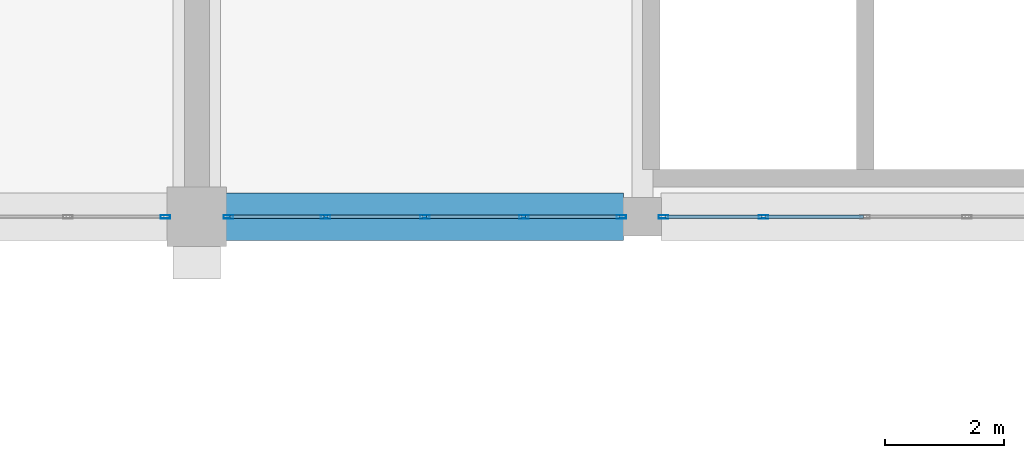
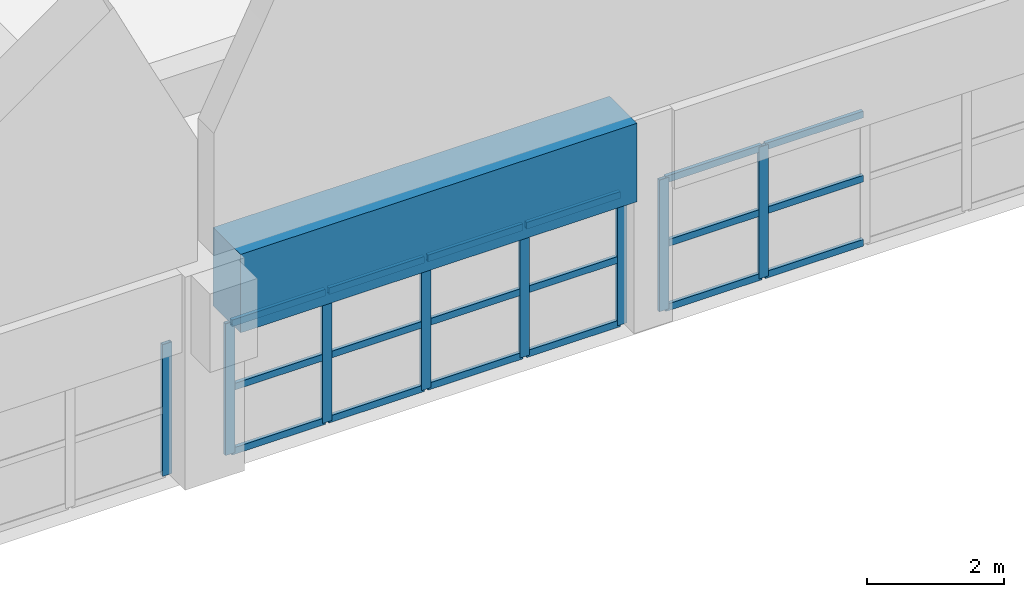
# One storey, part 22 of 74: 26 members, 1 beam, 3 elements without a shape of their own.
"""IFC4 building model written with IfcOpenShell, lengths in metres."""

from ifc_helpers import new_model, si_unit, direction, frame, origin, origin_2d, place, context, subcontext, project, spatial, rectangle, hollow_rectangle, extrude, material, layer, layer_set, material_profile, profile_set, type_object, element, aggregate, save


model = new_model("IFC4")

# Units and contexts
model_context = context("Model", 3, precision=1e-05, world=origin(), true_north=direction((0.0, 1.0)))
body_context = subcontext(model_context, "Body", "Model", "MODEL_VIEW")
ifc_project = project(units=[si_unit("LENGTHUNIT", "METRE"), si_unit("AREAUNIT", "SQUARE_METRE"), si_unit("VOLUMEUNIT", "CUBIC_METRE"), si_unit("PLANEANGLEUNIT", "RADIAN"), si_unit("MASSUNIT", "GRAM", prefix="KILO")], contexts=[model_context])

# Site, building, storey
site_placement = place(None, origin())
site = spatial("IfcSite", under=ifc_project, at=site_placement, CompositionType="ELEMENT")
building_placement = place(site_placement, origin())
building = spatial("IfcBuilding", under=site, at=building_placement, Name="Muzn Square Opera House", CompositionType="ELEMENT")
storey_placement = place(building_placement, frame((0.0, 0.0, 14.199951171875)))
storey = spatial("IfcBuildingStorey", under=building, at=storey_placement, Name="L03", CompositionType="ELEMENT", Elevation=14.199951171875)

# Curtain wall, member
ifc_material_1 = material(Name="Low-E laminated acoustic double glazing", Category="glass")
ifc_layer_1 = layer(ifc_material_1, 0.159912109375, Name="Low-E laminated acoustic double glazing", Category="glass")
ifc_layer_set_1 = layer_set([ifc_layer_1], Name="Low-E laminated acoustic double glazing")
curtain_wall_type_1 = type_object("IfcCurtainWallType", Name="Glazed Curtain Wall Forecourt 6675x2350", PredefinedType="USERDEFINED", material=ifc_layer_set_1)
curtain_wall_1_placement = place(storey_placement, origin())
curtain_wall_1 = element("IfcCurtainWall", 1, at=curtain_wall_1_placement, inside=storey, type_object=curtain_wall_type_1, Name="Glazed Curtain Wall CW-L03-025", ObjectType="GLAZED CURTAIN WALL", PredefinedType="USERDEFINED")
ifc_material_2 = material(Name="Anodised bronze aluminium 6063-T6", Category="metal")
ifc_material_profile_1 = material_profile(ifc_material_2, hollow_rectangle(XDim=0.06005859375, YDim=0.159912109375, WallThickness=0.00390625, at=origin_2d()), Name="ALU 160x60x4", Category="metal")
ifc_profile_set_1 = profile_set([ifc_material_profile_1], Name="Anodised bronze aluminium 6063-T6")
member_type_1 = type_object("IfcMemberType", Name="Curtain Wall Mullion 160x60", PredefinedType="MULLION", material=ifc_profile_set_1)
member_1_placement = place(storey_placement, frame((102.469970703125, 22.0, 0.0), z_axis=(0.0, 0.0, 1.0), x_axis=(0.0, 1.0, 0.0)))
member_1 = element("IfcMember", 2, at=member_1_placement, type_object=member_type_1, Name="CW-FC-66x23 mullion 5", PredefinedType="MULLION", context=body_context, shape_type="SweptSolid", body=[
    extrude(hollow_rectangle(XDim=0.06005859375, YDim=0.159912109375, WallThickness=0.00390625, at=origin_2d()), origin(), (0.0, 0.0, 1.0), 2.35009765625),
])
aggregate(curtain_wall_1, [member_1])

# Curtain wall, members
curtain_wall_2_placement = place(storey_placement, origin())
curtain_wall_2 = element("IfcCurtainWall", 3, at=curtain_wall_2_placement, inside=storey, type_object=curtain_wall_type_1, Name="Glazed Curtain Wall CW-L03-026", ObjectType="GLAZED CURTAIN WALL", PredefinedType="USERDEFINED")
member_2_placement = place(storey_placement, frame((103.530029296875, 22.0, 0.0), z_axis=(0.0, 0.0, 1.0), x_axis=(0.0, 1.0, 0.0)))
member_2 = element("IfcMember", 4, at=member_2_placement, type_object=member_type_1, Name="CW-FC-66x23 mullion 1", PredefinedType="MULLION", context=body_context, shape_type="SweptSolid", body=[
    extrude(hollow_rectangle(XDim=0.06005859375, YDim=0.159912109375, WallThickness=0.00390625, at=origin_2d()), origin(), (0.0, 0.0, 1.0), 2.35009765625),
])
member_3_placement = place(storey_placement, frame((105.168701171875, 22.0, 0.0), z_axis=(0.0, 0.0, 1.0), x_axis=(0.0, 1.0, 0.0)))
member_3 = element("IfcMember", 5, at=member_3_placement, type_object=member_type_1, Name="CW-FC-66x23 mullion 2", PredefinedType="MULLION", context=body_context, shape_type="SweptSolid", body=[
    extrude(hollow_rectangle(XDim=0.06005859375, YDim=0.159912109375, WallThickness=0.00390625, at=origin_2d()), origin(), (0.0, 0.0, 1.0), 2.35009765625),
])
member_4_placement = place(storey_placement, frame((106.83740234375, 22.0, 0.0), z_axis=(0.0, 0.0, 1.0), x_axis=(0.0, 1.0, 0.0)))
member_4 = element("IfcMember", 6, at=member_4_placement, type_object=member_type_1, Name="CW-FC-66x23 mullion 3", PredefinedType="MULLION", context=body_context, shape_type="SweptSolid", body=[
    extrude(hollow_rectangle(XDim=0.06005859375, YDim=0.159912109375, WallThickness=0.00390625, at=origin_2d()), origin(), (0.0, 0.0, 1.0), 2.35009765625),
])
member_5_placement = place(storey_placement, frame((108.50634765625, 22.0, 0.0), z_axis=(0.0, 0.0, 1.0), x_axis=(0.0, 1.0, 0.0)))
member_5 = element("IfcMember", 7, at=member_5_placement, type_object=member_type_1, Name="CW-FC-66x23 mullion 4", PredefinedType="MULLION", context=body_context, shape_type="SweptSolid", body=[
    extrude(hollow_rectangle(XDim=0.06005859375, YDim=0.159912109375, WallThickness=0.00390625, at=origin_2d()), origin(), (0.0, 0.0, 1.0), 2.35009765625),
])
member_6_placement = place(storey_placement, frame((110.14501953125, 22.0, 0.0), z_axis=(0.0, 0.0, 1.0), x_axis=(0.0, 1.0, 0.0)))
member_6 = element("IfcMember", 8, at=member_6_placement, type_object=member_type_1, Name="CW-FC-66x23 mullion 5", PredefinedType="MULLION", context=body_context, shape_type="SweptSolid", body=[
    extrude(hollow_rectangle(XDim=0.06005859375, YDim=0.159912109375, WallThickness=0.00390625, at=origin_2d()), origin(), (0.0, 0.0, 1.0), 2.35009765625),
])

ifc_layer_2 = layer(ifc_material_1, 0.159912109375, Name="Low-E laminated acoustic double glazing", Category="glass")
ifc_layer_set_2 = layer_set([ifc_layer_2], Name="Low-E laminated acoustic double glazing")
curtain_wall_type_2 = type_object("IfcCurtainWallType", Name="Glazed Curtain Wall Forecourt 6850x2350", PredefinedType="USERDEFINED", material=ifc_layer_set_2)
curtain_wall_3_placement = place(storey_placement, origin())
curtain_wall_3 = element("IfcCurtainWall", 9, at=curtain_wall_3_placement, inside=storey, type_object=curtain_wall_type_2, Name="Glazed Curtain Wall CW-L03-027", ObjectType="GLAZED CURTAIN WALL", PredefinedType="USERDEFINED")
member_7_placement = place(storey_placement, frame((110.85498046875, 22.0, 0.0), z_axis=(0.0, 0.0, 1.0), x_axis=(0.0, 1.0, 0.0)))
member_7 = element("IfcMember", 10, at=member_7_placement, type_object=member_type_1, Name="CW-FC-68x23 mullion 1", PredefinedType="MULLION", context=body_context, shape_type="SweptSolid", body=[
    extrude(hollow_rectangle(XDim=0.06005859375, YDim=0.159912109375, WallThickness=0.00390625, at=origin_2d()), origin(), (0.0, 0.0, 1.0), 2.35009765625),
])
member_8_placement = place(storey_placement, frame((112.53759765625, 22.0, 0.0), z_axis=(0.0, 0.0, 1.0), x_axis=(0.0, 1.0, 0.0)))
member_8 = element("IfcMember", 11, at=member_8_placement, type_object=member_type_1, Name="CW-FC-68x23 mullion 2", PredefinedType="MULLION", context=body_context, shape_type="SweptSolid", body=[
    extrude(hollow_rectangle(XDim=0.06005859375, YDim=0.159912109375, WallThickness=0.00390625, at=origin_2d()), origin(), (0.0, 0.0, 1.0), 2.35009765625),
])

# Member
ifc_material_profile_2 = material_profile(ifc_material_2, hollow_rectangle(XDim=0.06005859375, YDim=0.1201171875, WallThickness=0.00390625, at=origin_2d()), Name="ALU 120x60x4", Category="metal")
ifc_profile_set_2 = profile_set([ifc_material_profile_2], Name="Anodised bronze aluminium 6063-T6")
member_type_2 = type_object("IfcMemberType", Name="Curtain Wall Transom 120x60", PredefinedType="USERDEFINED", material=ifc_profile_set_2)
member_9_placement = place(storey_placement, frame((103.56005859375, 22.0, 0.030029296875), z_axis=(1.0, 0.0, 0.0), x_axis=(0.0, 1.0, 0.0)))
member_9 = element("IfcMember", 12, at=member_9_placement, type_object=member_type_2, Name="CW-FC-66x23 transom 1.1", ObjectType="TRANSOM", PredefinedType="USERDEFINED", context=body_context, shape_type="SweptSolid", body=[
    extrude(hollow_rectangle(XDim=0.06005859375, YDim=0.1201171875, WallThickness=0.00390625, at=origin_2d()), origin(), (0.0, 0.0, 1.0), 1.57861328125),
])

member_10_placement = place(storey_placement, frame((103.56005859375, 22.0, 1.175048828125), z_axis=(1.0, 0.0, 0.0), x_axis=(0.0, 1.0, 0.0)))
member_10 = element("IfcMember", 13, at=member_10_placement, type_object=member_type_2, Name="CW-FC-66x23 transom 1.2", ObjectType="TRANSOM", PredefinedType="USERDEFINED", context=body_context, shape_type="SweptSolid", body=[
    extrude(hollow_rectangle(XDim=0.06005859375, YDim=0.1201171875, WallThickness=0.00390625, at=origin_2d()), origin(), (0.0, 0.0, 1.0), 1.57861328125),
])

member_11_placement = place(storey_placement, frame((103.56005859375, 22.0, 2.320068359375), z_axis=(1.0, 0.0, 0.0), x_axis=(0.0, 1.0, 0.0)))
member_11 = element("IfcMember", 14, at=member_11_placement, type_object=member_type_2, Name="CW-FC-66x23 transom 1.3", ObjectType="TRANSOM", PredefinedType="USERDEFINED", context=body_context, shape_type="SweptSolid", body=[
    extrude(hollow_rectangle(XDim=0.06005859375, YDim=0.1201171875, WallThickness=0.00390625, at=origin_2d()), origin(), (0.0, 0.0, 1.0), 1.57861328125),
])

member_12_placement = place(storey_placement, frame((105.19873046875, 22.0, 0.030029296875), z_axis=(1.0, 0.0, 0.0), x_axis=(0.0, 1.0, 0.0)))
member_12 = element("IfcMember", 15, at=member_12_placement, type_object=member_type_2, Name="CW-FC-66x23 transom 2.1", ObjectType="TRANSOM", PredefinedType="USERDEFINED", context=body_context, shape_type="SweptSolid", body=[
    extrude(hollow_rectangle(XDim=0.06005859375, YDim=0.1201171875, WallThickness=0.00390625, at=origin_2d()), origin(), (0.0, 0.0, 1.0), 1.60888671875),
])

member_13_placement = place(storey_placement, frame((105.19873046875, 22.0, 1.175048828125), z_axis=(1.0, 0.0, 0.0), x_axis=(0.0, 1.0, 0.0)))
member_13 = element("IfcMember", 16, at=member_13_placement, type_object=member_type_2, Name="CW-FC-66x23 transom 2.2", ObjectType="TRANSOM", PredefinedType="USERDEFINED", context=body_context, shape_type="SweptSolid", body=[
    extrude(hollow_rectangle(XDim=0.06005859375, YDim=0.1201171875, WallThickness=0.00390625, at=origin_2d()), origin(), (0.0, 0.0, 1.0), 1.60888671875),
])

member_14_placement = place(storey_placement, frame((105.19873046875, 22.0, 2.320068359375), z_axis=(1.0, 0.0, 0.0), x_axis=(0.0, 1.0, 0.0)))
member_14 = element("IfcMember", 17, at=member_14_placement, type_object=member_type_2, Name="CW-FC-66x23 transom 2.3", ObjectType="TRANSOM", PredefinedType="USERDEFINED", context=body_context, shape_type="SweptSolid", body=[
    extrude(hollow_rectangle(XDim=0.06005859375, YDim=0.1201171875, WallThickness=0.00390625, at=origin_2d()), origin(), (0.0, 0.0, 1.0), 1.60888671875),
])

member_15_placement = place(storey_placement, frame((106.867431640625, 22.0, 0.030029296875), z_axis=(1.0, 0.0, 0.0), x_axis=(0.0, 1.0, 0.0)))
member_15 = element("IfcMember", 18, at=member_15_placement, type_object=member_type_2, Name="CW-FC-66x23 transom 3.1", ObjectType="TRANSOM", PredefinedType="USERDEFINED", context=body_context, shape_type="SweptSolid", body=[
    extrude(hollow_rectangle(XDim=0.06005859375, YDim=0.1201171875, WallThickness=0.00390625, at=origin_2d()), origin(), (0.0, 0.0, 1.0), 1.60888671875),
])

member_16_placement = place(storey_placement, frame((106.867431640625, 22.0, 1.175048828125), z_axis=(1.0, 0.0, 0.0), x_axis=(0.0, 1.0, 0.0)))
member_16 = element("IfcMember", 19, at=member_16_placement, type_object=member_type_2, Name="CW-FC-66x23 transom 3.2", ObjectType="TRANSOM", PredefinedType="USERDEFINED", context=body_context, shape_type="SweptSolid", body=[
    extrude(hollow_rectangle(XDim=0.06005859375, YDim=0.1201171875, WallThickness=0.00390625, at=origin_2d()), origin(), (0.0, 0.0, 1.0), 1.60888671875),
])

member_17_placement = place(storey_placement, frame((106.867431640625, 22.0, 2.320068359375), z_axis=(1.0, 0.0, 0.0), x_axis=(0.0, 1.0, 0.0)))
member_17 = element("IfcMember", 20, at=member_17_placement, type_object=member_type_2, Name="CW-FC-66x23 transom 3.3", ObjectType="TRANSOM", PredefinedType="USERDEFINED", context=body_context, shape_type="SweptSolid", body=[
    extrude(hollow_rectangle(XDim=0.06005859375, YDim=0.1201171875, WallThickness=0.00390625, at=origin_2d()), origin(), (0.0, 0.0, 1.0), 1.60888671875),
])

member_18_placement = place(storey_placement, frame((108.5361328125, 22.0, 0.030029296875), z_axis=(1.0, 0.0, 0.0), x_axis=(0.0, 1.0, 0.0)))
member_18 = element("IfcMember", 21, at=member_18_placement, type_object=member_type_2, Name="CW-FC-66x23 transom 4.1", ObjectType="TRANSOM", PredefinedType="USERDEFINED", context=body_context, shape_type="SweptSolid", body=[
    extrude(hollow_rectangle(XDim=0.06005859375, YDim=0.1201171875, WallThickness=0.00390625, at=origin_2d()), origin(), (0.0, 0.0, 1.0), 1.578857421875),
])

member_19_placement = place(storey_placement, frame((108.5361328125, 22.0, 1.175048828125), z_axis=(1.0, 0.0, 0.0), x_axis=(0.0, 1.0, 0.0)))
member_19 = element("IfcMember", 22, at=member_19_placement, type_object=member_type_2, Name="CW-FC-66x23 transom 4.2", ObjectType="TRANSOM", PredefinedType="USERDEFINED", context=body_context, shape_type="SweptSolid", body=[
    extrude(hollow_rectangle(XDim=0.06005859375, YDim=0.1201171875, WallThickness=0.00390625, at=origin_2d()), origin(), (0.0, 0.0, 1.0), 1.578857421875),
])

member_20_placement = place(storey_placement, frame((108.5361328125, 22.0, 2.320068359375), z_axis=(1.0, 0.0, 0.0), x_axis=(0.0, 1.0, 0.0)))
member_20 = element("IfcMember", 23, at=member_20_placement, type_object=member_type_2, Name="CW-FC-66x23 transom 4.3", ObjectType="TRANSOM", PredefinedType="USERDEFINED", context=body_context, shape_type="SweptSolid", body=[
    extrude(hollow_rectangle(XDim=0.06005859375, YDim=0.1201171875, WallThickness=0.00390625, at=origin_2d()), origin(), (0.0, 0.0, 1.0), 1.578857421875),
])

aggregate(curtain_wall_2, [member_2, member_3, member_4, member_5, member_6, member_9, member_10, member_11, member_12, member_13, member_14, member_15, member_16, member_17, member_18, member_19, member_20])

member_21_placement = place(storey_placement, frame((110.885009765625, 22.0, 0.030029296875), z_axis=(1.0, 0.0, 0.0), x_axis=(0.0, 1.0, 0.0)))
member_21 = element("IfcMember", 24, at=member_21_placement, type_object=member_type_2, Name="CW-FC-68x23 transom 1.1", ObjectType="TRANSOM", PredefinedType="USERDEFINED", context=body_context, shape_type="SweptSolid", body=[
    extrude(hollow_rectangle(XDim=0.06005859375, YDim=0.1201171875, WallThickness=0.00390625, at=origin_2d()), origin(), (0.0, 0.0, 1.0), 1.62255859375),
])

member_22_placement = place(storey_placement, frame((110.885009765625, 22.0, 1.175048828125), z_axis=(1.0, 0.0, 0.0), x_axis=(0.0, 1.0, 0.0)))
member_22 = element("IfcMember", 25, at=member_22_placement, type_object=member_type_2, Name="CW-FC-68x23 transom 1.2", ObjectType="TRANSOM", PredefinedType="USERDEFINED", context=body_context, shape_type="SweptSolid", body=[
    extrude(hollow_rectangle(XDim=0.06005859375, YDim=0.1201171875, WallThickness=0.00390625, at=origin_2d()), origin(), (0.0, 0.0, 1.0), 1.62255859375),
])

member_23_placement = place(storey_placement, frame((110.885009765625, 22.0, 2.320068359375), z_axis=(1.0, 0.0, 0.0), x_axis=(0.0, 1.0, 0.0)))
member_23 = element("IfcMember", 26, at=member_23_placement, type_object=member_type_2, Name="CW-FC-68x23 transom 1.3", ObjectType="TRANSOM", PredefinedType="USERDEFINED", context=body_context, shape_type="SweptSolid", body=[
    extrude(hollow_rectangle(XDim=0.06005859375, YDim=0.1201171875, WallThickness=0.00390625, at=origin_2d()), origin(), (0.0, 0.0, 1.0), 1.62255859375),
])

member_24_placement = place(storey_placement, frame((112.5673828125, 22.0, 0.030029296875), z_axis=(1.0, 0.0, 0.0), x_axis=(0.0, 1.0, 0.0)))
member_24 = element("IfcMember", 27, at=member_24_placement, type_object=member_type_2, Name="CW-FC-68x23 transom 2.1", ObjectType="TRANSOM", PredefinedType="USERDEFINED", context=body_context, shape_type="SweptSolid", body=[
    extrude(hollow_rectangle(XDim=0.06005859375, YDim=0.1201171875, WallThickness=0.00390625, at=origin_2d()), origin(), (0.0, 0.0, 1.0), 1.652587890625),
])

member_25_placement = place(storey_placement, frame((112.5673828125, 22.0, 1.175048828125), z_axis=(1.0, 0.0, 0.0), x_axis=(0.0, 1.0, 0.0)))
member_25 = element("IfcMember", 28, at=member_25_placement, type_object=member_type_2, Name="CW-FC-68x23 transom 2.2", ObjectType="TRANSOM", PredefinedType="USERDEFINED", context=body_context, shape_type="SweptSolid", body=[
    extrude(hollow_rectangle(XDim=0.06005859375, YDim=0.1201171875, WallThickness=0.00390625, at=origin_2d()), origin(), (0.0, 0.0, 1.0), 1.652587890625),
])

member_26_placement = place(storey_placement, frame((112.5673828125, 22.0, 2.320068359375), z_axis=(1.0, 0.0, 0.0), x_axis=(0.0, 1.0, 0.0)))
member_26 = element("IfcMember", 29, at=member_26_placement, type_object=member_type_2, Name="CW-FC-68x23 transom 2.3", ObjectType="TRANSOM", PredefinedType="USERDEFINED", context=body_context, shape_type="SweptSolid", body=[
    extrude(hollow_rectangle(XDim=0.06005859375, YDim=0.1201171875, WallThickness=0.00390625, at=origin_2d()), origin(), (0.0, 0.0, 1.0), 1.652587890625),
])

aggregate(curtain_wall_3, [member_7, member_8, member_21, member_22, member_23, member_24, member_25, member_26])

# Beam
ifc_material_3 = material(Name="Concrete C45/55", Category="concrete")
ifc_material_profile_3 = material_profile(ifc_material_3, rectangle(XDim=0.800048828125, YDim=1.39990234375, at=origin_2d()), Name="RCB 800x1400", Category="concrete")
ifc_profile_set_3 = profile_set([ifc_material_profile_3], Name="Concrete C45/55")
beam_type = type_object("IfcBeamType", Name="Vault Springing Girder 800x1400", PredefinedType="BEAM", material=ifc_profile_set_3)
beam_placement = place(storey_placement, frame((103.491943359375, 22.0, 3.10009765625), z_axis=(1.0, 0.0, 0.0), x_axis=(0.0, 1.0, 0.0)))
element("IfcBeam", 30, at=beam_placement, inside=storey, type_object=beam_type, Name="Gable Support Girder BM-L03-BM-VS1400-1035_220_1102_220-2415", PredefinedType="BEAM", context=body_context, shape_type="SweptSolid", body=[
    extrude(rectangle(XDim=0.800048828125, YDim=1.39990234375, at=origin_2d()), origin(), (0.0, 0.0, 1.0), 6.691162109375),
])

save(model, "model.ifc")
